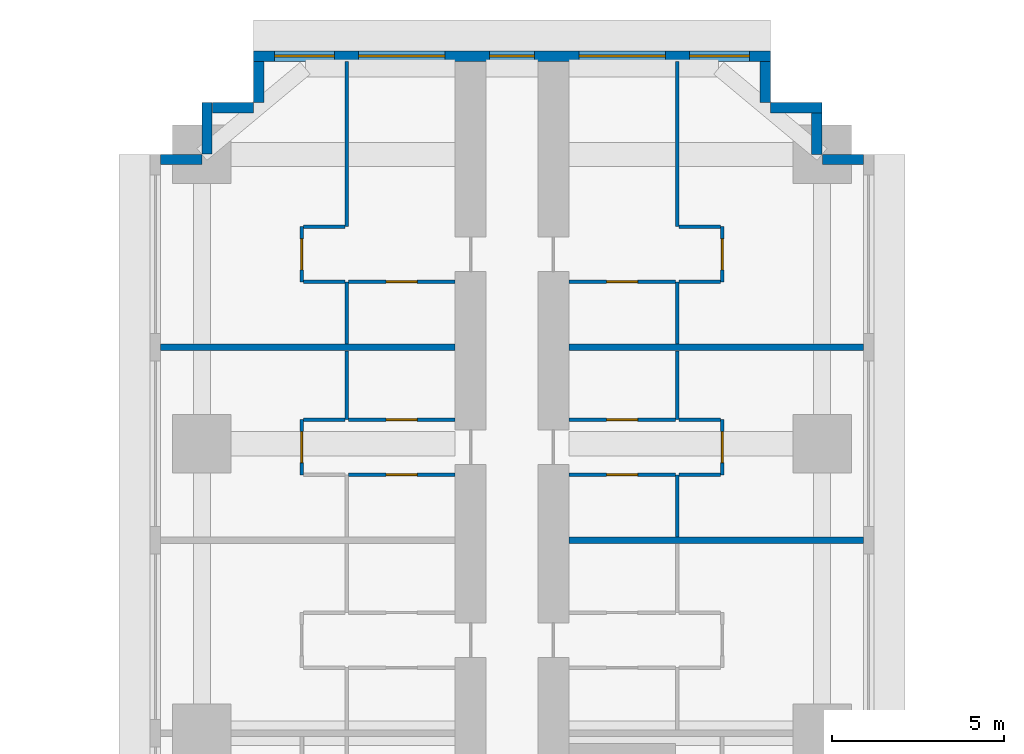
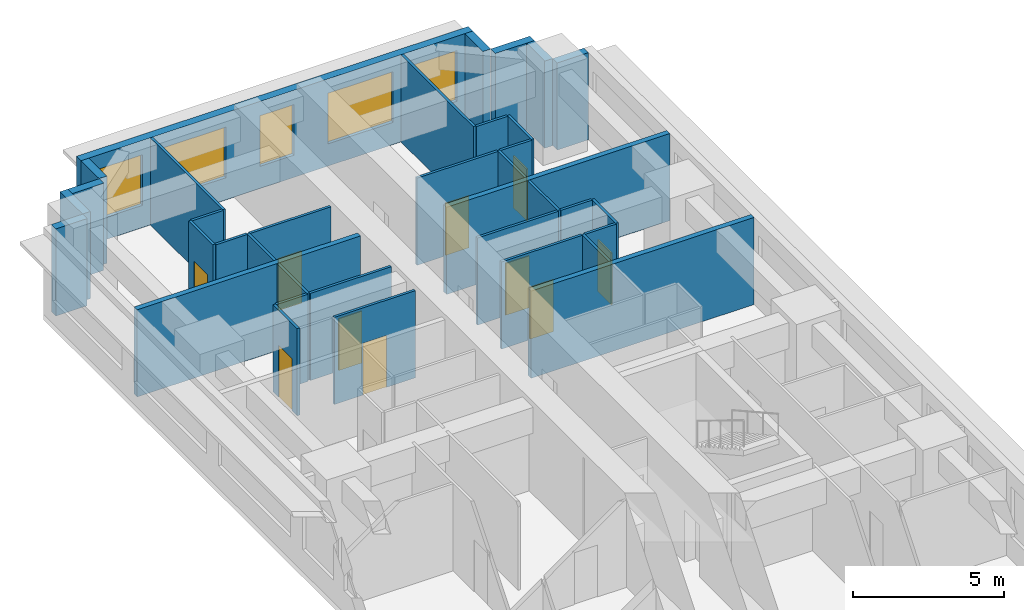
# One storey, part 14 of 16: 36 walls, 10 doors, 5 windows, 15 openings.
"""IFC4 building model written with IfcOpenShell, lengths in metres."""

from ifc_helpers import new_model, si_unit, direction, frame, frame_2d, origin, place, context, subcontext, project, spatial, rectangle, extrude, material, layer, layer_set, type_object, element, fill, save


model = new_model("IFC4")

# Units and contexts
model_context = context("Model", 3, precision=1e-05, world=origin(), true_north=direction((0.0, 1.0)))
body_context = subcontext(model_context, "Body", "Model", "MODEL_VIEW")
ifc_project = project(units=[si_unit("LENGTHUNIT", "METRE"), si_unit("AREAUNIT", "SQUARE_METRE"), si_unit("VOLUMEUNIT", "CUBIC_METRE"), si_unit("PLANEANGLEUNIT", "RADIAN"), si_unit("MASSUNIT", "GRAM", prefix="KILO")], contexts=[model_context])

# Site, building, storey
site_placement = place(None, origin())
site = spatial("IfcSite", under=ifc_project, at=site_placement, CompositionType="ELEMENT")
building_placement = place(site_placement, origin())
building = spatial("IfcBuilding", under=site, at=building_placement, Name="Impinga Residences", CompositionType="ELEMENT")
storey_placement = place(building_placement, frame((0.0, 0.0, 41.0)))
storey = spatial("IfcBuildingStorey", under=building, at=storey_placement, Name="L09", CompositionType="ELEMENT", Elevation=41.0)

# Walls
ifc_material_1 = material(Name="Terracotta rainscreen on blockwork", Category="masonry")
ifc_layer_1 = layer(ifc_material_1, 0.300048828125)
ifc_layer_set_1 = layer_set([ifc_layer_1], Name="EW1 external wall, terracotta rainscreen on blockwork 300")
wall_type_1 = type_object("IfcWallType", Name="EW1 external wall, terracotta rainscreen on blockwork 300", PredefinedType="SOLIDWALL", material=ifc_layer_set_1)
wall_1_placement = place(storey_placement, frame((-10.199951171875, 44.881591796875, 0.0), z_axis=(0.0, 0.0, 1.0), x_axis=(1.0, 0.0, 0.0)))
element("IfcWall", 1, at=wall_1_placement, inside=storey, type_object=wall_type_1, Name="External wall EW1 L09", PredefinedType="SOLIDWALL", context=body_context, shape_type="SweptSolid", body=[
    extrude(rectangle(XDim=1.199951171875, YDim=0.300048828125, at=frame_2d((0.60009765625, 0.0))), origin(), (0.0, 0.0, 1.0), 3.530029296875),
])
wall_2_placement = place(storey_placement, frame((-8.85009765625, 45.03662109375, 0.0), z_axis=(0.0, 0.0, 1.0), x_axis=(0.0, 1.0, 0.0)))
element("IfcWall", 2, at=wall_2_placement, inside=storey, type_object=wall_type_1, Name="External wall EW1 L09", PredefinedType="SOLIDWALL", context=body_context, shape_type="SweptSolid", body=[
    extrude(rectangle(XDim=1.494873046875, YDim=0.300048828125, at=frame_2d((0.74755859375, 0.0))), origin(), (0.0, 0.0, 1.0), 3.530029296875),
])
wall_3_placement = place(storey_placement, frame((-8.699951171875, 46.381591796875, 0.0), z_axis=(0.0, 0.0, 1.0), x_axis=(1.0, 0.0, 0.0)))
element("IfcWall", 3, at=wall_3_placement, inside=storey, type_object=wall_type_1, Name="External wall EW1 L09", PredefinedType="SOLIDWALL", context=body_context, shape_type="SweptSolid", body=[
    extrude(rectangle(XDim=1.199951171875, YDim=0.300048828125, at=frame_2d((0.60009765625, 0.0))), origin(), (0.0, 0.0, 1.0), 3.530029296875),
])
wall_4_placement = place(storey_placement, frame((-7.35009765625, 46.53662109375, 0.0), z_axis=(0.0, 0.0, 1.0), x_axis=(0.0, 1.0, 0.0)))
element("IfcWall", 4, at=wall_4_placement, inside=storey, type_object=wall_type_1, Name="External wall EW1 L09", PredefinedType="SOLIDWALL", context=body_context, shape_type="SweptSolid", body=[
    extrude(rectangle(XDim=1.19482421875, YDim=0.300048828125, at=frame_2d((0.597412109375, 0.0))), origin(), (0.0, 0.0, 1.0), 3.530029296875),
])

# Wall, openings, windows
wall_5_placement = place(storey_placement, frame((-7.5, 47.881591796875, 0.0), z_axis=(0.0, 0.0, 1.0), x_axis=(1.0, 0.0, 0.0)))
wall_5 = element("IfcWall", 5, at=wall_5_placement, inside=storey, type_object=wall_type_1, Name="External wall EW1 L09", PredefinedType="SOLIDWALL", context=body_context, shape_type="SweptSolid", body=[
    extrude(rectangle(XDim=15.0, YDim=0.300048828125, at=frame_2d((7.5, 0.0))), origin(), (0.0, 0.0, 1.0), 3.530029296875),
])
opening_1_placement = place(wall_5_placement, frame((0.60009765625, 0.0, 0.89990234375)))
opening_1 = element("IfcOpeningElement", 6, at=opening_1_placement, cuts=wall_5, Name="Opening W1", PredefinedType="OPENING", context=body_context, shape_type="SweptSolid", body=[
    extrude(rectangle(XDim=1.75, YDim=2.050048828125, at=frame_2d((0.875, 1.02490234375))), frame((0.0, 0.159912109375, 0.0), z_axis=(0.0, -1.0, 0.0), x_axis=(1.0, 0.0, 0.0)), (0.0, 0.0, 1.0), 0.320068359375),
])
opening_2_placement = place(wall_5_placement, frame((3.050048828125, 0.0, 0.89990234375)))
opening_2 = element("IfcOpeningElement", 7, at=opening_2_placement, cuts=wall_5, Name="Opening W2", PredefinedType="OPENING", context=body_context, shape_type="SweptSolid", body=[
    extrude(rectangle(XDim=2.5, YDim=2.050048828125, at=frame_2d((1.25, 1.02490234375))), frame((0.0, 0.159912109375, 0.0), z_axis=(0.0, -1.0, 0.0), x_axis=(1.0, 0.0, 0.0)), (0.0, 0.0, 1.0), 0.320068359375),
])
opening_3_placement = place(wall_5_placement, frame((6.85009765625, 0.0, 0.89990234375)))
opening_3 = element("IfcOpeningElement", 8, at=opening_3_placement, cuts=wall_5, Name="Opening WE1", PredefinedType="OPENING", context=body_context, shape_type="SweptSolid", body=[
    extrude(rectangle(XDim=1.300048828125, YDim=2.050048828125, at=frame_2d((0.64990234375, 1.02490234375))), frame((0.0, 0.159912109375, 0.0), z_axis=(0.0, -1.0, 0.0), x_axis=(1.0, 0.0, 0.0)), (0.0, 0.0, 1.0), 0.320068359375),
])
opening_4_placement = place(wall_5_placement, frame((9.449951171875, 0.0, 0.89990234375)))
opening_4 = element("IfcOpeningElement", 9, at=opening_4_placement, cuts=wall_5, Name="Opening W2", PredefinedType="OPENING", context=body_context, shape_type="SweptSolid", body=[
    extrude(rectangle(XDim=2.5, YDim=2.050048828125, at=frame_2d((1.25, 1.02490234375))), frame((0.0, 0.159912109375, 0.0), z_axis=(0.0, -1.0, 0.0), x_axis=(1.0, 0.0, 0.0)), (0.0, 0.0, 1.0), 0.320068359375),
])
opening_5_placement = place(wall_5_placement, frame((12.64990234375, 0.0, 0.89990234375)))
opening_5 = element("IfcOpeningElement", 10, at=opening_5_placement, cuts=wall_5, Name="Opening W1", PredefinedType="OPENING", context=body_context, shape_type="SweptSolid", body=[
    extrude(rectangle(XDim=1.75, YDim=2.050048828125, at=frame_2d((0.875, 1.02490234375))), frame((0.0, 0.159912109375, 0.0), z_axis=(0.0, -1.0, 0.0), x_axis=(1.0, 0.0, 0.0)), (0.0, 0.0, 1.0), 0.320068359375),
])
ifc_material_2 = material(Name="Aluminium window, clear double glazing", Category="aluminium")
window_type_1 = type_object("IfcWindowType", Name="W1 ribbon window 1750x2050", PartitioningType="SINGLE_PANEL", PredefinedType="WINDOW", material=ifc_material_2)
window_1_placement = place(opening_1_placement, origin())
window_1 = element("IfcWindow", 11, at=window_1_placement, inside=storey, type_object=window_type_1, Name="Window L09", OverallHeight=2.050048828125, OverallWidth=1.75, PartitioningType="SINGLE_PANEL", PredefinedType="WINDOW", context=body_context, shape_type="SweptSolid", body=[
    extrude(rectangle(XDim=1.75, YDim=2.050048828125, at=frame_2d((0.875, 1.02490234375))), frame((0.0, 0.030029296875, 0.0), z_axis=(0.0, -1.0, 0.0), x_axis=(1.0, 0.0, 0.0)), (0.0, 0.0, 1.0), 0.06005859375),
])
fill(opening_1, window_1)
window_2_placement = place(opening_5_placement, origin())
window_2 = element("IfcWindow", 12, at=window_2_placement, inside=storey, type_object=window_type_1, Name="Window L09", OverallHeight=2.050048828125, OverallWidth=1.75, PartitioningType="SINGLE_PANEL", PredefinedType="WINDOW", context=body_context, shape_type="SweptSolid", body=[
    extrude(rectangle(XDim=1.75, YDim=2.050048828125, at=frame_2d((0.875, 1.02490234375))), frame((0.0, 0.030029296875, 0.0), z_axis=(0.0, -1.0, 0.0), x_axis=(1.0, 0.0, 0.0)), (0.0, 0.0, 1.0), 0.06005859375),
])
fill(opening_5, window_2)
window_type_2 = type_object("IfcWindowType", Name="W2 ribbon window 2500x2050", PartitioningType="SINGLE_PANEL", PredefinedType="WINDOW", material=ifc_material_2)
window_3_placement = place(opening_2_placement, origin())
window_3 = element("IfcWindow", 13, at=window_3_placement, inside=storey, type_object=window_type_2, Name="Window L09", OverallHeight=2.050048828125, OverallWidth=2.5, PartitioningType="SINGLE_PANEL", PredefinedType="WINDOW", context=body_context, shape_type="SweptSolid", body=[
    extrude(rectangle(XDim=2.5, YDim=2.050048828125, at=frame_2d((1.25, 1.02490234375))), frame((0.0, 0.030029296875, 0.0), z_axis=(0.0, -1.0, 0.0), x_axis=(1.0, 0.0, 0.0)), (0.0, 0.0, 1.0), 0.06005859375),
])
fill(opening_2, window_3)
window_4_placement = place(opening_4_placement, origin())
window_4 = element("IfcWindow", 14, at=window_4_placement, inside=storey, type_object=window_type_2, Name="Window L09", OverallHeight=2.050048828125, OverallWidth=2.5, PartitioningType="SINGLE_PANEL", PredefinedType="WINDOW", context=body_context, shape_type="SweptSolid", body=[
    extrude(rectangle(XDim=2.5, YDim=2.050048828125, at=frame_2d((1.25, 1.02490234375))), frame((0.0, 0.030029296875, 0.0), z_axis=(0.0, -1.0, 0.0), x_axis=(1.0, 0.0, 0.0)), (0.0, 0.0, 1.0), 0.06005859375),
])
fill(opening_4, window_4)
window_type_3 = type_object("IfcWindowType", Name="WE1 corridor window 1300x2050", PartitioningType="SINGLE_PANEL", PredefinedType="WINDOW", material=ifc_material_2)
window_5_placement = place(opening_3_placement, origin())
window_5 = element("IfcWindow", 15, at=window_5_placement, inside=storey, type_object=window_type_3, Name="Window L09", OverallHeight=2.050048828125, OverallWidth=1.300048828125, PartitioningType="SINGLE_PANEL", PredefinedType="WINDOW", context=body_context, shape_type="SweptSolid", body=[
    extrude(rectangle(XDim=1.300048828125, YDim=2.050048828125, at=frame_2d((0.64990234375, 1.02490234375))), frame((0.0, 0.030029296875, 0.0), z_axis=(0.0, -1.0, 0.0), x_axis=(1.0, 0.0, 0.0)), (0.0, 0.0, 1.0), 0.06005859375),
])
fill(opening_3, window_5)

# Walls
wall_6_placement = place(storey_placement, frame((7.35009765625, 47.7314453125, 0.0), z_axis=(0.0, 0.0, 1.0), x_axis=(0.0, -1.0, 0.0)))
element("IfcWall", 16, at=wall_6_placement, inside=storey, type_object=wall_type_1, Name="External wall EW1 L09", PredefinedType="SOLIDWALL", context=body_context, shape_type="SweptSolid", body=[
    extrude(rectangle(XDim=1.19482421875, YDim=0.300048828125, at=frame_2d((0.597412109375, 0.0))), origin(), (0.0, 0.0, 1.0), 3.530029296875),
])
wall_7_placement = place(storey_placement, frame((7.5, 46.381591796875, 0.0), z_axis=(0.0, 0.0, 1.0), x_axis=(1.0, 0.0, 0.0)))
element("IfcWall", 17, at=wall_7_placement, inside=storey, type_object=wall_type_1, Name="External wall EW1 L09", PredefinedType="SOLIDWALL", context=body_context, shape_type="SweptSolid", body=[
    extrude(rectangle(XDim=1.5, YDim=0.300048828125, at=frame_2d((0.75, 0.0))), origin(), (0.0, 0.0, 1.0), 3.530029296875),
])
wall_8_placement = place(storey_placement, frame((8.85009765625, 46.2314453125, 0.0), z_axis=(0.0, 0.0, 1.0), x_axis=(0.0, -1.0, 0.0)))
element("IfcWall", 18, at=wall_8_placement, inside=storey, type_object=wall_type_1, Name="External wall EW1 L09", PredefinedType="SOLIDWALL", context=body_context, shape_type="SweptSolid", body=[
    extrude(rectangle(XDim=1.199951171875, YDim=0.300048828125, at=frame_2d((0.60009765625, 0.0))), origin(), (0.0, 0.0, 1.0), 3.530029296875),
])
wall_9_placement = place(storey_placement, frame((9.0048828125, 44.881591796875, 0.0), z_axis=(0.0, 0.0, 1.0), x_axis=(1.0, 0.0, 0.0)))
element("IfcWall", 19, at=wall_9_placement, inside=storey, type_object=wall_type_1, Name="External wall EW1 L09", PredefinedType="SOLIDWALL", context=body_context, shape_type="SweptSolid", body=[
    extrude(rectangle(XDim=1.195068359375, YDim=0.300048828125, at=frame_2d((0.59765625, 0.0))), origin(), (0.0, 0.0, 1.0), 3.530029296875),
])
ifc_material_3 = material(Name="Gypsum board on steel studs", Category="steel")
ifc_layer_2 = layer(ifc_material_3, 0.10009765625)
ifc_layer_set_2 = layer_set([ifc_layer_2], Name="Gypsum board on steel studs")
wall_type_2 = type_object("IfcWallType", Name="IP1 partition 100", PredefinedType="PARTITIONING", material=ifc_layer_set_2)
wall_10_placement = place(storey_placement, frame((-4.800048828125, 37.33154296875, 0.0), z_axis=(0.0, 0.0, 1.0), x_axis=(0.0, 1.0, 0.0)))
element("IfcWall", 20, at=wall_10_placement, inside=storey, type_object=wall_type_2, Name="Partition L09-NA4:DIV1", PredefinedType="PARTITIONING", context=body_context, shape_type="SweptSolid", body=[
    extrude(rectangle(XDim=2.0, YDim=0.10009765625, at=frame_2d((1.0, 0.0))), origin(), (0.0, 0.0, 1.0), 3.530029296875),
])

# Wall, opening, door
wall_11_placement = place(storey_placement, frame((-6.10009765625, 35.7314453125, 0.0), z_axis=(0.0, 0.0, 1.0), x_axis=(0.0, 1.0, 0.0)))
wall_11 = element("IfcWall", 21, at=wall_11_placement, inside=storey, type_object=wall_type_2, Name="Partition L09-NA4:STRIP", PredefinedType="PARTITIONING", context=body_context, shape_type="SweptSolid", body=[
    extrude(rectangle(XDim=1.60009765625, YDim=0.10009765625, at=frame_2d((0.800048828125, 0.0))), origin(), (0.0, 0.0, 1.0), 3.530029296875),
])
opening_6_placement = place(wall_11_placement, frame((0.35009765625, 0.0, 0.0)))
opening_6 = element("IfcOpeningElement", 22, at=opening_6_placement, cuts=wall_11, Name="Opening D2", PredefinedType="OPENING", context=body_context, shape_type="SweptSolid", body=[
    extrude(rectangle(XDim=0.89990234375, YDim=2.10009765625, at=frame_2d((0.449951171875, 1.050048828125))), frame((0.0, 0.06005859375, 0.0), z_axis=(0.0, -1.0, 0.0), x_axis=(1.0, 0.0, 0.0)), (0.0, 0.0, 1.0), 0.1201171875),
])
ifc_material_4 = material(Name="Timber door set", Category="wood")
door_type = type_object("IfcDoorType", Name="D2 internal door 900x2100", OperationType="SINGLE_SWING_LEFT", PredefinedType="DOOR", material=ifc_material_4)
door_1_placement = place(opening_6_placement, origin())
door_1 = element("IfcDoor", 23, at=door_1_placement, inside=storey, type_object=door_type, Name="Apartment L09-NA4 room door", OperationType="SINGLE_SWING_LEFT", OverallHeight=2.10009765625, OverallWidth=0.89990234375, PredefinedType="DOOR", context=body_context, shape_type="SweptSolid", body=[
    extrude(rectangle(XDim=0.89990234375, YDim=2.10009765625, at=frame_2d((0.449951171875, 1.050048828125))), frame((0.0, 0.02490234375, 0.0), z_axis=(0.0, -1.0, 0.0), x_axis=(1.0, 0.0, 0.0)), (0.0, 0.0, 1.0), 0.050048828125),
])
fill(opening_6, door_1)

# Wall
wall_12_placement = place(storey_placement, frame((-4.85009765625, 37.33154296875, 0.0), z_axis=(0.0, 0.0, 1.0), x_axis=(-1.0, 0.0, 0.0)))
element("IfcWall", 24, at=wall_12_placement, inside=storey, type_object=wall_type_2, Name="Partition L09-NA4:SE1", PredefinedType="PARTITIONING", context=body_context, shape_type="SweptSolid", body=[
    extrude(rectangle(XDim=1.199951171875, YDim=0.10009765625, at=frame_2d((0.60009765625, 0.0))), origin(), (0.0, 0.0, 1.0), 3.530029296875),
])

# Wall, opening, door
wall_13_placement = place(storey_placement, frame((-1.64990234375, 35.7314453125, 0.0), z_axis=(0.0, 0.0, 1.0), x_axis=(-1.0, 0.0, 0.0)))
wall_13 = element("IfcWall", 25, at=wall_13_placement, inside=storey, type_object=wall_type_2, Name="Partition L09-NA4:IB1", PredefinedType="PARTITIONING", context=body_context, shape_type="SweptSolid", body=[
    extrude(rectangle(XDim=3.10009765625, YDim=0.10009765625, at=frame_2d((1.550048828125, 0.0))), origin(), (0.0, 0.0, 1.0), 3.530029296875),
])
opening_7_placement = place(wall_13_placement, frame((1.10009765625, 0.0, 0.0)))
opening_7 = element("IfcOpeningElement", 26, at=opening_7_placement, cuts=wall_13, Name="Opening D2", PredefinedType="OPENING", context=body_context, shape_type="SweptSolid", body=[
    extrude(rectangle(XDim=0.89990234375, YDim=2.10009765625, at=frame_2d((0.449951171875, 1.050048828125))), frame((0.0, 0.06005859375, 0.0), z_axis=(0.0, -1.0, 0.0), x_axis=(1.0, 0.0, 0.0)), (0.0, 0.0, 1.0), 0.1201171875),
])
door_2_placement = place(opening_7_placement, origin())
door_2 = element("IfcDoor", 27, at=door_2_placement, inside=storey, type_object=door_type, Name="Apartment L09-NA4 bathroom door", OperationType="SINGLE_SWING_LEFT", OverallHeight=2.10009765625, OverallWidth=0.89990234375, PredefinedType="DOOR", context=body_context, shape_type="SweptSolid", body=[
    extrude(rectangle(XDim=0.89990234375, YDim=2.10009765625, at=frame_2d((0.449951171875, 1.050048828125))), frame((0.0, 0.02490234375, 0.0), z_axis=(0.0, -1.0, 0.0), x_axis=(1.0, 0.0, 0.0)), (0.0, 0.0, 1.0), 0.050048828125),
])
fill(opening_7, door_2)

wall_14_placement = place(storey_placement, frame((-1.64990234375, 37.33154296875, 0.0), z_axis=(0.0, 0.0, 1.0), x_axis=(-1.0, 0.0, 0.0)))
wall_14 = element("IfcWall", 28, at=wall_14_placement, inside=storey, type_object=wall_type_2, Name="Partition L09-NA4:IB2", PredefinedType="PARTITIONING", context=body_context, shape_type="SweptSolid", body=[
    extrude(rectangle(XDim=3.10009765625, YDim=0.10009765625, at=frame_2d((1.550048828125, 0.0))), origin(), (0.0, 0.0, 1.0), 3.530029296875),
])
opening_8_placement = place(wall_14_placement, frame((1.10009765625, 0.0, 0.0)))
opening_8 = element("IfcOpeningElement", 29, at=opening_8_placement, cuts=wall_14, Name="Opening D2", PredefinedType="OPENING", context=body_context, shape_type="SweptSolid", body=[
    extrude(rectangle(XDim=0.89990234375, YDim=2.10009765625, at=frame_2d((0.449951171875, 1.050048828125))), frame((0.0, 0.06005859375, 0.0), z_axis=(0.0, -1.0, 0.0), x_axis=(1.0, 0.0, 0.0)), (0.0, 0.0, 1.0), 0.1201171875),
])
door_3_placement = place(opening_8_placement, origin())
door_3 = element("IfcDoor", 30, at=door_3_placement, inside=storey, type_object=door_type, Name="Apartment L09-NA4 WC door", OperationType="SINGLE_SWING_LEFT", OverallHeight=2.10009765625, OverallWidth=0.89990234375, PredefinedType="DOOR", context=body_context, shape_type="SweptSolid", body=[
    extrude(rectangle(XDim=0.89990234375, YDim=2.10009765625, at=frame_2d((0.449951171875, 1.050048828125))), frame((0.0, 0.02490234375, 0.0), z_axis=(0.0, -1.0, 0.0), x_axis=(1.0, 0.0, 0.0)), (0.0, 0.0, 1.0), 0.050048828125),
])
fill(opening_8, door_3)

# Walls
wall_15_placement = place(storey_placement, frame((-4.800048828125, 39.531494140625, 0.0), z_axis=(0.0, 0.0, 1.0), x_axis=(0.0, 1.0, 0.0)))
element("IfcWall", 31, at=wall_15_placement, inside=storey, type_object=wall_type_2, Name="Partition L09-NA5:DIV0", PredefinedType="PARTITIONING", context=body_context, shape_type="SweptSolid", body=[
    extrude(rectangle(XDim=1.800048828125, YDim=0.10009765625, at=frame_2d((0.89990234375, 0.0))), origin(), (0.0, 0.0, 1.0), 3.530029296875),
])
wall_16_placement = place(storey_placement, frame((-4.800048828125, 42.931640625, 0.0), z_axis=(0.0, 0.0, 1.0), x_axis=(0.0, 1.0, 0.0)))
element("IfcWall", 32, at=wall_16_placement, inside=storey, type_object=wall_type_2, Name="Partition L09-NA5:DIV1", PredefinedType="PARTITIONING", context=body_context, shape_type="SweptSolid", body=[
    extrude(rectangle(XDim=4.7998046875, YDim=0.10009765625, at=frame_2d((2.39990234375, 0.0))), origin(), (0.0, 0.0, 1.0), 3.530029296875),
])

# Wall, opening, door
wall_17_placement = place(storey_placement, frame((-6.10009765625, 41.33154296875, 0.0), z_axis=(0.0, 0.0, 1.0), x_axis=(0.0, 1.0, 0.0)))
wall_17 = element("IfcWall", 33, at=wall_17_placement, inside=storey, type_object=wall_type_2, Name="Partition L09-NA5:STRIP", PredefinedType="PARTITIONING", context=body_context, shape_type="SweptSolid", body=[
    extrude(rectangle(XDim=1.60009765625, YDim=0.10009765625, at=frame_2d((0.800048828125, 0.0))), origin(), (0.0, 0.0, 1.0), 3.530029296875),
])
opening_9_placement = place(wall_17_placement, frame((0.35009765625, 0.0, 0.0)))
opening_9 = element("IfcOpeningElement", 34, at=opening_9_placement, cuts=wall_17, Name="Opening D2", PredefinedType="OPENING", context=body_context, shape_type="SweptSolid", body=[
    extrude(rectangle(XDim=0.89990234375, YDim=2.10009765625, at=frame_2d((0.449951171875, 1.050048828125))), frame((0.0, 0.06005859375, 0.0), z_axis=(0.0, -1.0, 0.0), x_axis=(1.0, 0.0, 0.0)), (0.0, 0.0, 1.0), 0.1201171875),
])
door_4_placement = place(opening_9_placement, origin())
door_4 = element("IfcDoor", 35, at=door_4_placement, inside=storey, type_object=door_type, Name="Apartment L09-NA5 room door", OperationType="SINGLE_SWING_LEFT", OverallHeight=2.10009765625, OverallWidth=0.89990234375, PredefinedType="DOOR", context=body_context, shape_type="SweptSolid", body=[
    extrude(rectangle(XDim=0.89990234375, YDim=2.10009765625, at=frame_2d((0.449951171875, 1.050048828125))), frame((0.0, 0.02490234375, 0.0), z_axis=(0.0, -1.0, 0.0), x_axis=(1.0, 0.0, 0.0)), (0.0, 0.0, 1.0), 0.050048828125),
])
fill(opening_9, door_4)

# Walls
for number, where, z_axis, x_axis, name in (
    (36, (-4.85009765625, 41.33154296875, 0.0), (0.0, 0.0, 1.0), (-1.0, 0.0, 0.0), "Partition L09-NA5:SE0"),
    (37, (-4.85009765625, 42.931640625, 0.0), (0.0, 0.0, 1.0), (-1.0, 0.0, 0.0), "Partition L09-NA5:SE1"),
):
    element("IfcWall", number, at=place(storey_placement, frame(where, z_axis=z_axis, x_axis=x_axis)), inside=storey, type_object=wall_type_2, Name=name, PredefinedType="PARTITIONING", context=body_context, shape_type="SweptSolid", body=[
        extrude(rectangle(XDim=1.199951171875, YDim=0.10009765625, at=frame_2d((0.60009765625, 0.0))), origin(), (0.0, 0.0, 1.0), 3.530029296875),
    ])

# Wall, opening, door
wall_18_placement = place(storey_placement, frame((-1.64990234375, 41.33154296875, 0.0), z_axis=(0.0, 0.0, 1.0), x_axis=(-1.0, 0.0, 0.0)))
wall_18 = element("IfcWall", 38, at=wall_18_placement, inside=storey, type_object=wall_type_2, Name="Partition L09-NA5:IB1", PredefinedType="PARTITIONING", context=body_context, shape_type="SweptSolid", body=[
    extrude(rectangle(XDim=3.10009765625, YDim=0.10009765625, at=frame_2d((1.550048828125, 0.0))), origin(), (0.0, 0.0, 1.0), 3.530029296875),
])
opening_10_placement = place(wall_18_placement, frame((1.10009765625, 0.0, 0.0)))
opening_10 = element("IfcOpeningElement", 39, at=opening_10_placement, cuts=wall_18, Name="Opening D2", PredefinedType="OPENING", context=body_context, shape_type="SweptSolid", body=[
    extrude(rectangle(XDim=0.89990234375, YDim=2.10009765625, at=frame_2d((0.449951171875, 1.050048828125))), frame((0.0, 0.06005859375, 0.0), z_axis=(0.0, -1.0, 0.0), x_axis=(1.0, 0.0, 0.0)), (0.0, 0.0, 1.0), 0.1201171875),
])
door_5_placement = place(opening_10_placement, origin())
door_5 = element("IfcDoor", 40, at=door_5_placement, inside=storey, type_object=door_type, Name="Apartment L09-NA5 bathroom door", OperationType="SINGLE_SWING_LEFT", OverallHeight=2.10009765625, OverallWidth=0.89990234375, PredefinedType="DOOR", context=body_context, shape_type="SweptSolid", body=[
    extrude(rectangle(XDim=0.89990234375, YDim=2.10009765625, at=frame_2d((0.449951171875, 1.050048828125))), frame((0.0, 0.02490234375, 0.0), z_axis=(0.0, -1.0, 0.0), x_axis=(1.0, 0.0, 0.0)), (0.0, 0.0, 1.0), 0.050048828125),
])
fill(opening_10, door_5)

# Walls
wall_19_placement = place(storey_placement, frame((4.800048828125, 33.931640625, 0.0), z_axis=(0.0, 0.0, 1.0), x_axis=(0.0, 1.0, 0.0)))
element("IfcWall", 41, at=wall_19_placement, inside=storey, type_object=wall_type_2, Name="Partition L09-NF3:DIV0", PredefinedType="PARTITIONING", context=body_context, shape_type="SweptSolid", body=[
    extrude(rectangle(XDim=1.7998046875, YDim=0.10009765625, at=frame_2d((0.89990234375, 0.0))), origin(), (0.0, 0.0, 1.0), 3.530029296875),
])
wall_20_placement = place(storey_placement, frame((4.800048828125, 37.33154296875, 0.0), z_axis=(0.0, 0.0, 1.0), x_axis=(0.0, 1.0, 0.0)))
element("IfcWall", 42, at=wall_20_placement, inside=storey, type_object=wall_type_2, Name="Partition L09-NF3:DIV1", PredefinedType="PARTITIONING", context=body_context, shape_type="SweptSolid", body=[
    extrude(rectangle(XDim=2.0, YDim=0.10009765625, at=frame_2d((1.0, 0.0))), origin(), (0.0, 0.0, 1.0), 3.530029296875),
])

# Wall, opening, door
wall_21_placement = place(storey_placement, frame((6.10009765625, 35.7314453125, 0.0), z_axis=(0.0, 0.0, 1.0), x_axis=(0.0, 1.0, 0.0)))
wall_21 = element("IfcWall", 43, at=wall_21_placement, inside=storey, type_object=wall_type_2, Name="Partition L09-NF3:STRIP", PredefinedType="PARTITIONING", context=body_context, shape_type="SweptSolid", body=[
    extrude(rectangle(XDim=1.60009765625, YDim=0.10009765625, at=frame_2d((0.800048828125, 0.0))), origin(), (0.0, 0.0, 1.0), 3.530029296875),
])
opening_11_placement = place(wall_21_placement, frame((0.35009765625, 0.0, 0.0)))
opening_11 = element("IfcOpeningElement", 44, at=opening_11_placement, cuts=wall_21, Name="Opening D2", PredefinedType="OPENING", context=body_context, shape_type="SweptSolid", body=[
    extrude(rectangle(XDim=0.89990234375, YDim=2.10009765625, at=frame_2d((0.449951171875, 1.050048828125))), frame((0.0, 0.06005859375, 0.0), z_axis=(0.0, -1.0, 0.0), x_axis=(1.0, 0.0, 0.0)), (0.0, 0.0, 1.0), 0.1201171875),
])
door_6_placement = place(opening_11_placement, origin())
door_6 = element("IfcDoor", 45, at=door_6_placement, inside=storey, type_object=door_type, Name="Apartment L09-NF3 room door", OperationType="SINGLE_SWING_LEFT", OverallHeight=2.10009765625, OverallWidth=0.89990234375, PredefinedType="DOOR", context=body_context, shape_type="SweptSolid", body=[
    extrude(rectangle(XDim=0.89990234375, YDim=2.10009765625, at=frame_2d((0.449951171875, 1.050048828125))), frame((0.0, 0.02490234375, 0.0), z_axis=(0.0, -1.0, 0.0), x_axis=(1.0, 0.0, 0.0)), (0.0, 0.0, 1.0), 0.050048828125),
])
fill(opening_11, door_6)

# Walls
for number, where, z_axis, x_axis, name in (
    (46, (4.85009765625, 35.7314453125, 0.0), (0.0, 0.0, 1.0), (1.0, 0.0, 0.0), "Partition L09-NF3:SE0"),
    (47, (4.85009765625, 37.33154296875, 0.0), (0.0, 0.0, 1.0), (1.0, 0.0, 0.0), "Partition L09-NF3:SE1"),
):
    element("IfcWall", number, at=place(storey_placement, frame(where, z_axis=z_axis, x_axis=x_axis)), inside=storey, type_object=wall_type_2, Name=name, PredefinedType="PARTITIONING", context=body_context, shape_type="SweptSolid", body=[
        extrude(rectangle(XDim=1.199951171875, YDim=0.10009765625, at=frame_2d((0.60009765625, 0.0))), origin(), (0.0, 0.0, 1.0), 3.530029296875),
    ])

# Wall, opening, door
wall_22_placement = place(storey_placement, frame((1.64990234375, 35.7314453125, 0.0), z_axis=(0.0, 0.0, 1.0), x_axis=(1.0, 0.0, 0.0)))
wall_22 = element("IfcWall", 48, at=wall_22_placement, inside=storey, type_object=wall_type_2, Name="Partition L09-NF3:IB1", PredefinedType="PARTITIONING", context=body_context, shape_type="SweptSolid", body=[
    extrude(rectangle(XDim=3.10009765625, YDim=0.10009765625, at=frame_2d((1.550048828125, 0.0))), origin(), (0.0, 0.0, 1.0), 3.530029296875),
])
opening_12_placement = place(wall_22_placement, frame((1.10009765625, 0.0, 0.0)))
opening_12 = element("IfcOpeningElement", 49, at=opening_12_placement, cuts=wall_22, Name="Opening D2", PredefinedType="OPENING", context=body_context, shape_type="SweptSolid", body=[
    extrude(rectangle(XDim=0.89990234375, YDim=2.10009765625, at=frame_2d((0.449951171875, 1.050048828125))), frame((0.0, 0.06005859375, 0.0), z_axis=(0.0, -1.0, 0.0), x_axis=(1.0, 0.0, 0.0)), (0.0, 0.0, 1.0), 0.1201171875),
])
door_7_placement = place(opening_12_placement, origin())
door_7 = element("IfcDoor", 50, at=door_7_placement, inside=storey, type_object=door_type, Name="Apartment L09-NF3 bathroom door", OperationType="SINGLE_SWING_LEFT", OverallHeight=2.10009765625, OverallWidth=0.89990234375, PredefinedType="DOOR", context=body_context, shape_type="SweptSolid", body=[
    extrude(rectangle(XDim=0.89990234375, YDim=2.10009765625, at=frame_2d((0.449951171875, 1.050048828125))), frame((0.0, 0.02490234375, 0.0), z_axis=(0.0, -1.0, 0.0), x_axis=(1.0, 0.0, 0.0)), (0.0, 0.0, 1.0), 0.050048828125),
])
fill(opening_12, door_7)

wall_23_placement = place(storey_placement, frame((1.64990234375, 37.33154296875, 0.0), z_axis=(0.0, 0.0, 1.0), x_axis=(1.0, 0.0, 0.0)))
wall_23 = element("IfcWall", 51, at=wall_23_placement, inside=storey, type_object=wall_type_2, Name="Partition L09-NF3:IB2", PredefinedType="PARTITIONING", context=body_context, shape_type="SweptSolid", body=[
    extrude(rectangle(XDim=3.10009765625, YDim=0.10009765625, at=frame_2d((1.550048828125, 0.0))), origin(), (0.0, 0.0, 1.0), 3.530029296875),
])
opening_13_placement = place(wall_23_placement, frame((1.10009765625, 0.0, 0.0)))
opening_13 = element("IfcOpeningElement", 52, at=opening_13_placement, cuts=wall_23, Name="Opening D2", PredefinedType="OPENING", context=body_context, shape_type="SweptSolid", body=[
    extrude(rectangle(XDim=0.89990234375, YDim=2.10009765625, at=frame_2d((0.449951171875, 1.050048828125))), frame((0.0, 0.06005859375, 0.0), z_axis=(0.0, -1.0, 0.0), x_axis=(1.0, 0.0, 0.0)), (0.0, 0.0, 1.0), 0.1201171875),
])
door_8_placement = place(opening_13_placement, origin())
door_8 = element("IfcDoor", 53, at=door_8_placement, inside=storey, type_object=door_type, Name="Apartment L09-NF3 WC door", OperationType="SINGLE_SWING_LEFT", OverallHeight=2.10009765625, OverallWidth=0.89990234375, PredefinedType="DOOR", context=body_context, shape_type="SweptSolid", body=[
    extrude(rectangle(XDim=0.89990234375, YDim=2.10009765625, at=frame_2d((0.449951171875, 1.050048828125))), frame((0.0, 0.02490234375, 0.0), z_axis=(0.0, -1.0, 0.0), x_axis=(1.0, 0.0, 0.0)), (0.0, 0.0, 1.0), 0.050048828125),
])
fill(opening_13, door_8)

# Walls
wall_24_placement = place(storey_placement, frame((4.800048828125, 39.531494140625, 0.0), z_axis=(0.0, 0.0, 1.0), x_axis=(0.0, 1.0, 0.0)))
element("IfcWall", 54, at=wall_24_placement, inside=storey, type_object=wall_type_2, Name="Partition L09-NF4:DIV0", PredefinedType="PARTITIONING", context=body_context, shape_type="SweptSolid", body=[
    extrude(rectangle(XDim=1.800048828125, YDim=0.10009765625, at=frame_2d((0.89990234375, 0.0))), origin(), (0.0, 0.0, 1.0), 3.530029296875),
])
wall_25_placement = place(storey_placement, frame((4.800048828125, 42.931640625, 0.0), z_axis=(0.0, 0.0, 1.0), x_axis=(0.0, 1.0, 0.0)))
element("IfcWall", 55, at=wall_25_placement, inside=storey, type_object=wall_type_2, Name="Partition L09-NF4:DIV1", PredefinedType="PARTITIONING", context=body_context, shape_type="SweptSolid", body=[
    extrude(rectangle(XDim=4.7998046875, YDim=0.10009765625, at=frame_2d((2.39990234375, 0.0))), origin(), (0.0, 0.0, 1.0), 3.530029296875),
])

# Wall, opening, door
wall_26_placement = place(storey_placement, frame((6.10009765625, 41.33154296875, 0.0), z_axis=(0.0, 0.0, 1.0), x_axis=(0.0, 1.0, 0.0)))
wall_26 = element("IfcWall", 56, at=wall_26_placement, inside=storey, type_object=wall_type_2, Name="Partition L09-NF4:STRIP", PredefinedType="PARTITIONING", context=body_context, shape_type="SweptSolid", body=[
    extrude(rectangle(XDim=1.60009765625, YDim=0.10009765625, at=frame_2d((0.800048828125, 0.0))), origin(), (0.0, 0.0, 1.0), 3.530029296875),
])
opening_14_placement = place(wall_26_placement, frame((0.35009765625, 0.0, 0.0)))
opening_14 = element("IfcOpeningElement", 57, at=opening_14_placement, cuts=wall_26, Name="Opening D2", PredefinedType="OPENING", context=body_context, shape_type="SweptSolid", body=[
    extrude(rectangle(XDim=0.89990234375, YDim=2.10009765625, at=frame_2d((0.449951171875, 1.050048828125))), frame((0.0, 0.06005859375, 0.0), z_axis=(0.0, -1.0, 0.0), x_axis=(1.0, 0.0, 0.0)), (0.0, 0.0, 1.0), 0.1201171875),
])
door_9_placement = place(opening_14_placement, origin())
door_9 = element("IfcDoor", 58, at=door_9_placement, inside=storey, type_object=door_type, Name="Apartment L09-NF4 room door", OperationType="SINGLE_SWING_LEFT", OverallHeight=2.10009765625, OverallWidth=0.89990234375, PredefinedType="DOOR", context=body_context, shape_type="SweptSolid", body=[
    extrude(rectangle(XDim=0.89990234375, YDim=2.10009765625, at=frame_2d((0.449951171875, 1.050048828125))), frame((0.0, 0.02490234375, 0.0), z_axis=(0.0, -1.0, 0.0), x_axis=(1.0, 0.0, 0.0)), (0.0, 0.0, 1.0), 0.050048828125),
])
fill(opening_14, door_9)

# Walls
for number, where, z_axis, x_axis, name in (
    (59, (4.85009765625, 41.33154296875, 0.0), (0.0, 0.0, 1.0), (1.0, 0.0, 0.0), "Partition L09-NF4:SE0"),
    (60, (4.85009765625, 42.931640625, 0.0), (0.0, 0.0, 1.0), (1.0, 0.0, 0.0), "Partition L09-NF4:SE1"),
):
    element("IfcWall", number, at=place(storey_placement, frame(where, z_axis=z_axis, x_axis=x_axis)), inside=storey, type_object=wall_type_2, Name=name, PredefinedType="PARTITIONING", context=body_context, shape_type="SweptSolid", body=[
        extrude(rectangle(XDim=1.199951171875, YDim=0.10009765625, at=frame_2d((0.60009765625, 0.0))), origin(), (0.0, 0.0, 1.0), 3.530029296875),
    ])

# Wall, opening, door
wall_27_placement = place(storey_placement, frame((1.64990234375, 41.33154296875, 0.0), z_axis=(0.0, 0.0, 1.0), x_axis=(1.0, 0.0, 0.0)))
wall_27 = element("IfcWall", 61, at=wall_27_placement, inside=storey, type_object=wall_type_2, Name="Partition L09-NF4:IB1", PredefinedType="PARTITIONING", context=body_context, shape_type="SweptSolid", body=[
    extrude(rectangle(XDim=3.10009765625, YDim=0.10009765625, at=frame_2d((1.550048828125, 0.0))), origin(), (0.0, 0.0, 1.0), 3.530029296875),
])
opening_15_placement = place(wall_27_placement, frame((1.10009765625, 0.0, 0.0)))
opening_15 = element("IfcOpeningElement", 62, at=opening_15_placement, cuts=wall_27, Name="Opening D2", PredefinedType="OPENING", context=body_context, shape_type="SweptSolid", body=[
    extrude(rectangle(XDim=0.89990234375, YDim=2.10009765625, at=frame_2d((0.449951171875, 1.050048828125))), frame((0.0, 0.06005859375, 0.0), z_axis=(0.0, -1.0, 0.0), x_axis=(1.0, 0.0, 0.0)), (0.0, 0.0, 1.0), 0.1201171875),
])
door_10_placement = place(opening_15_placement, origin())
door_10 = element("IfcDoor", 63, at=door_10_placement, inside=storey, type_object=door_type, Name="Apartment L09-NF4 bathroom door", OperationType="SINGLE_SWING_LEFT", OverallHeight=2.10009765625, OverallWidth=0.89990234375, PredefinedType="DOOR", context=body_context, shape_type="SweptSolid", body=[
    extrude(rectangle(XDim=0.89990234375, YDim=2.10009765625, at=frame_2d((0.449951171875, 1.050048828125))), frame((0.0, 0.02490234375, 0.0), z_axis=(0.0, -1.0, 0.0), x_axis=(1.0, 0.0, 0.0)), (0.0, 0.0, 1.0), 0.050048828125),
])
fill(opening_15, door_10)

# Walls
ifc_material_5 = material(Name="Concrete blockwork", Category="masonry")
ifc_layer_3 = layer(ifc_material_5, 0.199951171875)
ifc_layer_set_3 = layer_set([ifc_layer_3], Name="PW1 party wall between apartments 200")
wall_type_3 = type_object("IfcWallType", Name="PW1 party wall between apartments 200", PredefinedType="SOLIDWALL", material=ifc_layer_set_3)
for number, where, z_axis, x_axis, name in (
    (64, (-1.64990234375, 39.431640625, 0.0), (0.0, 0.0, 1.0), (-1.0, 0.0, 0.0), "Party wall between apartments L09-NA4:PARTY"),
    (65, (1.64990234375, 33.83154296875, 0.0), (0.0, 0.0, 1.0), (1.0, 0.0, 0.0), "Party wall between apartments L09-NF2:PARTY"),
    (66, (1.64990234375, 39.431640625, 0.0), (0.0, 0.0, 1.0), (1.0, 0.0, 0.0), "Party wall between apartments L09-NF3:PARTY"),
):
    element("IfcWall", number, at=place(storey_placement, frame(where, z_axis=z_axis, x_axis=x_axis)), inside=storey, type_object=wall_type_3, Name=name, PredefinedType="SOLIDWALL", context=body_context, shape_type="SweptSolid", body=[
        extrude(rectangle(XDim=8.550048828125, YDim=0.199951171875, at=frame_2d((4.27490234375, 0.0))), origin(), (0.0, 0.0, 1.0), 3.530029296875),
    ])

save(model, "model.ifc")
